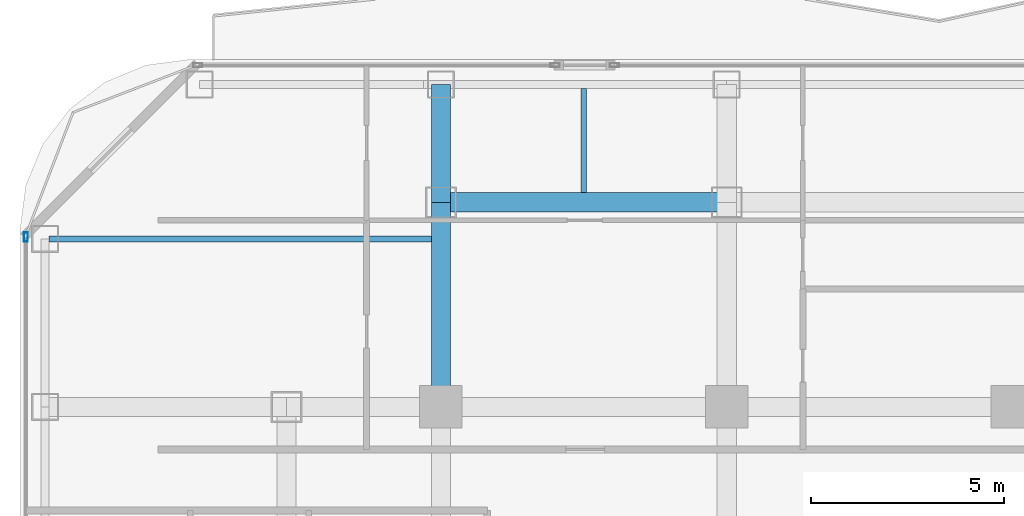
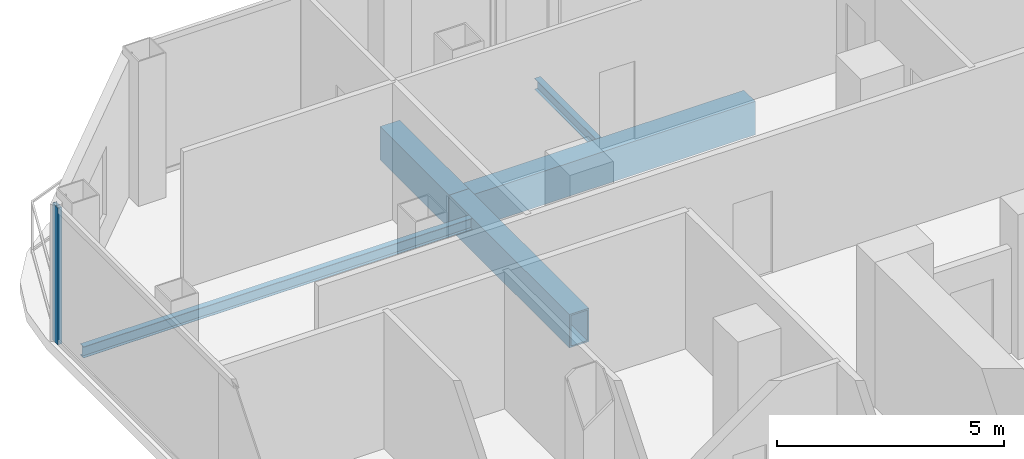
# One storey, part 11 of 27: 5 beams, 1 member, 1 element without a shape of its own.
"""IFC4 building model written with IfcOpenShell, lengths in metres."""

from ifc_helpers import new_model, si_unit, direction, frame, origin, origin_2d, place, context, subcontext, project, spatial, hollow_rectangle, i_section, extrude, material, layer, layer_set, material_profile, profile_set, type_object, element, aggregate, save


model = new_model("IFC4")

# Units and contexts
model_context = context("Model", 3, precision=1e-05, world=origin(), true_north=direction((0.0, 1.0)))
body_context = subcontext(model_context, "Body", "Model", "MODEL_VIEW")
ifc_project = project(units=[si_unit("LENGTHUNIT", "METRE"), si_unit("AREAUNIT", "SQUARE_METRE"), si_unit("VOLUMEUNIT", "CUBIC_METRE"), si_unit("PLANEANGLEUNIT", "RADIAN"), si_unit("MASSUNIT", "GRAM", prefix="KILO")], contexts=[model_context])

# Site, building, storey
site_placement = place(None, origin())
site = spatial("IfcSite", under=ifc_project, at=site_placement, CompositionType="ELEMENT")
building_placement = place(site_placement, origin())
building = spatial("IfcBuilding", under=site, at=building_placement, Name="Khorvyn Point Tower", CompositionType="ELEMENT")
storey_placement = place(building_placement, frame((0.0, 0.0, 168.0)))
storey = spatial("IfcBuildingStorey", under=building, at=storey_placement, Name="L41", CompositionType="ELEMENT", Elevation=168.0)

# Curtain wall, member
ifc_material_1 = material(Name="Anodised aluminium 6063-T6 and laminated Low-E glass", Category="aluminium")
ifc_layer = layer(ifc_material_1, 0.18994140625)
ifc_layer_set = layer_set([ifc_layer], Name="Stick-Built Acoustic Curtain Wall CW-SYS-03")
curtain_wall_type = type_object("IfcCurtainWallType", Name="Stick-Built Acoustic Curtain Wall CW-SYS-03", PredefinedType="NOTDEFINED", material=ifc_layer_set)
curtain_wall_placement = place(storey_placement, origin())
curtain_wall = element("IfcCurtainWall", 1, at=curtain_wall_placement, inside=storey, type_object=curtain_wall_type, Name="Curtain Wall", PredefinedType="NOTDEFINED")
ifc_material_2 = material(Name="Anodised aluminium 6063-T6", Category="aluminium")
ifc_material_profile_1 = material_profile(ifc_material_2, hollow_rectangle(XDim=0.10009765625, YDim=0.239990234375, WallThickness=0.0048828125, at=origin_2d()))
ifc_profile_set_1 = profile_set([ifc_material_profile_1], Name="Anodised aluminium 6063-T6 ALU-MUL-100x240")
member_type = type_object("IfcMemberType", Name="Anodised Aluminium 6063-T6 Mullion ALU-MUL-100x240", PredefinedType="MULLION", material=ifc_profile_set_1)
member_placement = place(storey_placement, frame((-25.550048828125, 19.199951171875, 0.0), z_axis=(0.0, 0.0, 1.0), x_axis=(-1.0, 0.0, 0.0)))
member = element("IfcMember", 2, at=member_placement, type_object=member_type, Name="Transom", PredefinedType="MULLION", context=body_context, shape_type="SweptSolid", body=[
    extrude(hollow_rectangle(XDim=0.10009765625, YDim=0.239990234375, WallThickness=0.0048828125, at=origin_2d()), origin(), (0.0, 0.0, 1.0), 3.679931640625),
])
aggregate(curtain_wall, [member])

# Beams
ifc_material_3 = material(Name="Steel S355", Category="steel")
ifc_material_profile_2 = material_profile(ifc_material_3, i_section(OverallWidth=0.14990234375, OverallDepth=0.300048828125, WebThickness=0.006591796875, FlangeThickness=0.009033203125, at=origin_2d()))
ifc_profile_set_2 = profile_set([ifc_material_profile_2], Name="Steel S355 H300x150x6.5x9")
beam_type_1 = type_object("IfcBeamType", Name="Steel S355 Joist H300x150x6.5x9", PredefinedType="JOIST", material=ifc_profile_set_2)
beam_1_placement = place(storey_placement, frame((-11.10009765625, 20.35009765625, -0.429931640625), z_axis=(0.0, 1.0, 0.0), x_axis=(-1.0, 0.0, 0.0)))
element("IfcBeam", 3, at=beam_1_placement, inside=storey, type_object=beam_type_1, Name="Beam", PredefinedType="JOIST", context=body_context, shape_type="SweptSolid", body=[
    extrude(i_section(OverallWidth=0.14990234375, OverallDepth=0.300048828125, WebThickness=0.006591796875, FlangeThickness=0.009033203125, at=origin_2d()), origin(), (0.0, 0.0, 1.0), 2.699951171875),
])
beam_2_placement = place(storey_placement, frame((-24.949951171875, 19.14990234375, -0.429931640625), z_axis=(1.0, 0.0, 0.0), x_axis=(0.0, 1.0, 0.0)))
element("IfcBeam", 4, at=beam_2_placement, inside=storey, type_object=beam_type_1, Name="Beam", PredefinedType="JOIST", context=body_context, shape_type="SweptSolid", body=[
    extrude(i_section(OverallWidth=0.14990234375, OverallDepth=0.300048828125, WebThickness=0.006591796875, FlangeThickness=0.009033203125, at=origin_2d()), origin(), (0.0, 0.0, 1.0), 9.89990234375),
])
ifc_material_4 = material(Name="Steel S450", Category="steel")
ifc_material_profile_3 = material_profile(ifc_material_4, hollow_rectangle(XDim=0.5, YDim=0.89990234375, WallThickness=0.0400390625, at=origin_2d()))
ifc_profile_set_3 = profile_set([ifc_material_profile_3], Name="Steel S450 BOX900x500x40")
beam_type_2 = type_object("IfcBeamType", Name="Steel S450 Beam BOX900x500x40", PredefinedType="BEAM", material=ifc_profile_set_3)
beam_3_placement = place(storey_placement, frame((-14.800048828125, 20.10009765625, -0.72998046875), z_axis=(1.0, 0.0, 0.0), x_axis=(0.0, 1.0, 0.0)))
element("IfcBeam", 5, at=beam_3_placement, inside=storey, type_object=beam_type_2, Name="Beam", PredefinedType="BEAM", context=body_context, shape_type="SweptSolid", body=[
    extrude(hollow_rectangle(XDim=0.5, YDim=0.89990234375, WallThickness=0.0400390625, at=origin_2d()), origin(), (0.0, 0.0, 1.0), 7.400146484375),
])
beam_4_placement = place(storey_placement, frame((-14.800048828125, 14.800048828125, -0.72998046875), z_axis=(0.0, 1.0, 0.0), x_axis=(-1.0, 0.0, 0.0)))
element("IfcBeam", 6, at=beam_4_placement, inside=storey, type_object=beam_type_2, Name="L41 Radial Transfer Girder", PredefinedType="BEAM", context=body_context, shape_type="SweptSolid", body=[
    extrude(hollow_rectangle(XDim=0.5, YDim=0.89990234375, WallThickness=0.0400390625, at=origin_2d()), origin(), (0.0, 0.0, 1.0), 5.300048828125),
])
beam_5_placement = place(storey_placement, frame((-14.800048828125, 20.10009765625, -0.72998046875), z_axis=(0.0, 1.0, 0.0), x_axis=(-1.0, 0.0, 0.0)))
element("IfcBeam", 7, at=beam_5_placement, inside=storey, type_object=beam_type_2, Name="L41 Radial Transfer Girder", PredefinedType="BEAM", context=body_context, shape_type="SweptSolid", body=[
    extrude(hollow_rectangle(XDim=0.5, YDim=0.89990234375, WallThickness=0.0400390625, at=origin_2d()), origin(), (0.0, 0.0, 1.0), 3.0498046875),
])

save(model, "model.ifc")
